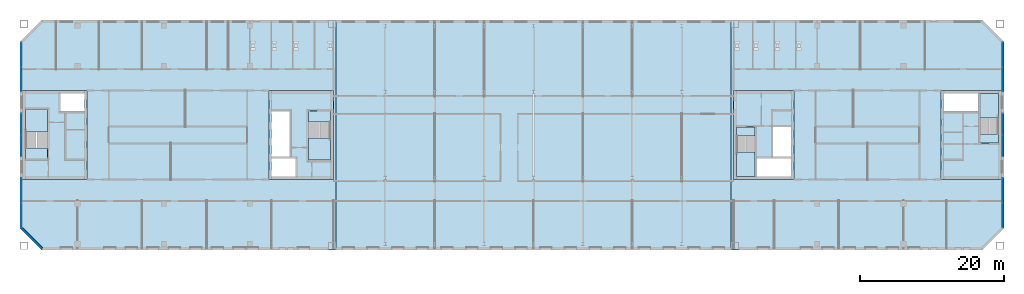
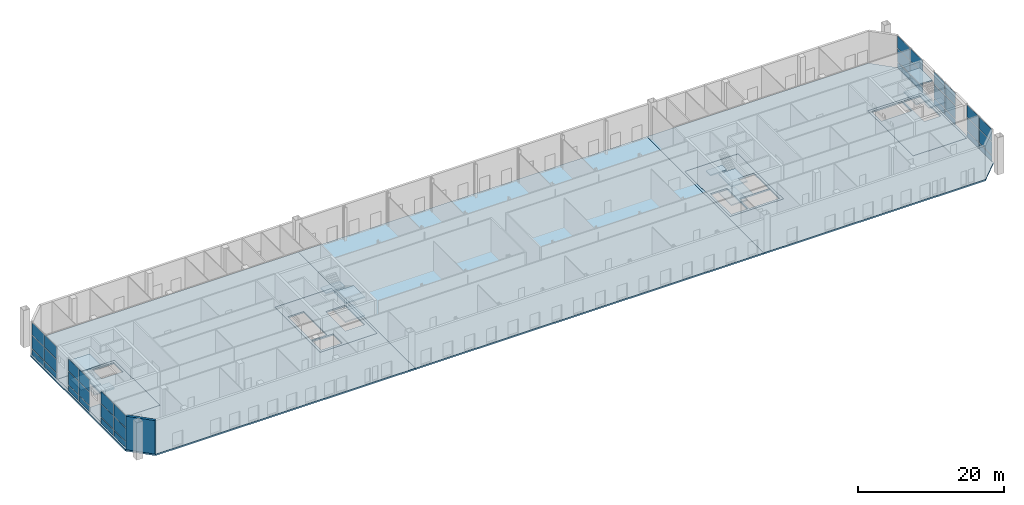
# One storey, part 7 of 20: 36 plates, 19 slabs, 1 wall, 10 elements without a shape of their own.
"""IFC4 building model written with IfcOpenShell, lengths in metres."""

from ifc_helpers import new_model, si_unit, direction, frame, frame_2d, origin, origin_2d, place, context, subcontext, project, spatial, polyline, rectangle, outline, extrude, material, layer, layer_set, type_object, element, aggregate, save


model = new_model("IFC4")

# Units and contexts
model_context = context("Model", 3, precision=1e-05, world=origin(), true_north=direction((0.0, 1.0)))
body_context = subcontext(model_context, "Body", "Model", "MODEL_VIEW")
ifc_project = project(units=[si_unit("LENGTHUNIT", "METRE"), si_unit("AREAUNIT", "SQUARE_METRE"), si_unit("VOLUMEUNIT", "CUBIC_METRE"), si_unit("PLANEANGLEUNIT", "RADIAN"), si_unit("MASSUNIT", "GRAM", prefix="KILO")], contexts=[model_context])

# Site, building, storey
site_placement = place(None, origin())
site = spatial("IfcSite", under=ifc_project, at=site_placement, CompositionType="ELEMENT")
building_placement = place(site_placement, origin())
building = spatial("IfcBuilding", under=site, at=building_placement, Name="Tuart Gate Housing", CompositionType="ELEMENT")
storey_placement = place(building_placement, frame((0.0, 0.0, 215.199951171875)))
storey = spatial("IfcBuildingStorey", under=building, at=storey_placement, Name="L61", CompositionType="ELEMENT", Elevation=215.199951171875)

# Slabs
ifc_material_1 = material(Name="Concrete C40", Category="concrete")
ifc_layer_1 = layer(ifc_material_1, 0.25)
ifc_layer_set_1 = layer_set([ifc_layer_1], Name="Core floor slab 250")
slab_type_1 = type_object("IfcSlabType", Name="Core floor slab 250", PredefinedType="FLOOR", material=ifc_layer_set_1)
slab_1_placement = place(storey_placement, frame((0.0, 0.0, -0.25)))
element("IfcSlab", 1, at=slab_1_placement, inside=storey, type_object=slab_type_1, Name="Core floor AG", PredefinedType="FLOOR", context=body_context, shape_type="SweptSolid", body=[
    extrude(outline(polyline([(66.639892578125, 63.800048828125), (75.639892578125, 63.800048828125), (75.639892578125, 76.199951171875), (66.639892578125, 76.199951171875), (66.639892578125, 63.800048828125)]), holes=[polyline([(67.0400390625, 64.199951171875), (70.385009765625, 64.199951171875), (70.385009765625, 66.72509765625), (67.0400390625, 66.72509765625), (67.0400390625, 64.199951171875)]), polyline([(67.0400390625, 66.97509765625), (69.56494140625, 66.97509765625), (69.56494140625, 73.324951171875), (67.0400390625, 73.324951171875), (67.0400390625, 66.97509765625)]), polyline([(72.1650390625, 66.47509765625), (75.239990234375, 66.47509765625), (75.239990234375, 71.804931640625), (72.1650390625, 71.804931640625), (72.1650390625, 66.47509765625)])]), origin(), (0.0, 0.0, 1.0), 0.25),
])
slab_2_placement = place(storey_placement, frame((0.0, 0.0, -0.25)))
element("IfcSlab", 2, at=slab_2_placement, inside=storey, type_object=slab_type_1, Name="Core floor AK", PredefinedType="FLOOR", context=body_context, shape_type="SweptSolid", body=[
    extrude(outline(polyline([(32.360107421875, 63.800048828125), (41.360107421875, 63.800048828125), (41.360107421875, 76.199951171875), (32.360107421875, 76.199951171875), (32.360107421875, 63.800048828125)]), holes=[polyline([(40.9599609375, 75.800048828125), (37.614990234375, 75.800048828125), (37.614990234375, 73.27490234375), (40.9599609375, 73.27490234375), (40.9599609375, 75.800048828125)]), polyline([(35.8349609375, 73.52490234375), (32.760009765625, 73.52490234375), (32.760009765625, 68.195068359375), (35.8349609375, 68.195068359375), (35.8349609375, 73.52490234375)])]), origin(), (0.0, 0.0, 1.0), 0.25),
])
slab_3_placement = place(storey_placement, frame((0.0, 0.0, -0.25)))
element("IfcSlab", 3, at=slab_3_placement, inside=storey, type_object=slab_type_1, Name="Core floor BG", PredefinedType="FLOOR", context=body_context, shape_type="SweptSolid", body=[
    extrude(outline(polyline([(131.360107421875, 63.800048828125), (139.760009765625, 63.800048828125), (139.760009765625, 76.199951171875), (131.360107421875, 76.199951171875), (131.360107421875, 63.800048828125)]), holes=[polyline([(139.360107421875, 66.85009765625), (134.5849609375, 66.85009765625), (134.5849609375, 64.199951171875), (139.360107421875, 64.199951171875), (139.360107421875, 66.85009765625)]), polyline([(139.360107421875, 71.125), (136.8349609375, 71.125), (136.8349609375, 66.97509765625), (139.360107421875, 66.97509765625), (139.360107421875, 71.125)]), polyline([(134.3349609375, 69.85498046875), (131.760009765625, 69.85498046875), (131.760009765625, 64.199951171875), (134.3349609375, 64.199951171875), (134.3349609375, 69.85498046875)])]), origin(), (0.0, 0.0, 1.0), 0.25),
])
slab_4_placement = place(storey_placement, frame((0.0, 0.0, -0.25)))
element("IfcSlab", 4, at=slab_4_placement, inside=storey, type_object=slab_type_1, Name="Core floor BK", PredefinedType="FLOOR", context=body_context, shape_type="SweptSolid", body=[
    extrude(outline(polyline([(160.239990234375, 63.800048828125), (168.639892578125, 63.800048828125), (168.639892578125, 76.199951171875), (160.239990234375, 76.199951171875), (160.239990234375, 63.800048828125)]), holes=[polyline([(160.639892578125, 73.14990234375), (165.4150390625, 73.14990234375), (165.4150390625, 75.800048828125), (160.639892578125, 75.800048828125), (160.639892578125, 73.14990234375)]), polyline([(165.6650390625, 70.14501953125), (168.239990234375, 70.14501953125), (168.239990234375, 75.800048828125), (165.6650390625, 75.800048828125), (165.6650390625, 70.14501953125)])]), origin(), (0.0, 0.0, 1.0), 0.25),
])
ifc_material_2 = material(Name="Concrete C40", Category="concrete")
ifc_layer_2 = layer(ifc_material_2, 0.25)
ifc_layer_set_2 = layer_set([ifc_layer_2], Name="Flat plate 250")
slab_type_2 = type_object("IfcSlabType", Name="Flat plate 250", PredefinedType="FLOOR", material=ifc_layer_set_2)
slab_5_placement = place(storey_placement, frame((0.0, 0.0, -0.25)))
element("IfcSlab", 5, at=slab_5_placement, inside=storey, type_object=slab_type_2, Name="Floor slab A L61", PredefinedType="FLOOR", context=body_context, shape_type="SweptSolid", body=[
    extrude(outline(polyline([(35.0, 86.0), (32.0, 83.0), (32.0, 57.0), (35.0, 54.0), (76.0, 54.0), (76.0, 86.0), (35.0, 86.0)]), holes=[polyline([(66.639892578125, 76.199951171875), (75.639892578125, 76.199951171875), (75.639892578125, 63.800048828125), (66.639892578125, 63.800048828125), (66.639892578125, 76.199951171875)]), polyline([(41.360107421875, 76.199951171875), (41.360107421875, 63.800048828125), (32.360107421875, 63.800048828125), (32.360107421875, 76.199951171875), (41.360107421875, 76.199951171875)])]), origin(), (0.0, 0.0, 1.0), 0.25),
])
slab_6_placement = place(storey_placement, frame((0.0, 0.0, -0.25)))
element("IfcSlab", 6, at=slab_6_placement, inside=storey, type_object=slab_type_2, Name="Floor slab B L61", PredefinedType="FLOOR", context=body_context, shape_type="SweptSolid", body=[
    extrude(outline(polyline([(166.0, 86.0), (131.0, 86.0), (131.0, 54.0), (166.0, 54.0), (169.0, 57.0), (169.0, 83.0), (166.0, 86.0)]), holes=[polyline([(131.360107421875, 76.199951171875), (139.760009765625, 76.199951171875), (139.760009765625, 63.800048828125), (131.360107421875, 63.800048828125), (131.360107421875, 76.199951171875)]), polyline([(168.639892578125, 76.199951171875), (168.639892578125, 63.800048828125), (160.239990234375, 63.800048828125), (160.239990234375, 76.199951171875), (168.639892578125, 76.199951171875)])]), origin(), (0.0, 0.0, 1.0), 0.25),
])
slab_7_placement = place(storey_placement, frame((0.0, 0.0, -0.25)))
element("IfcSlab", 7, at=slab_7_placement, inside=storey, type_object=slab_type_2, Name="Link floor slab L61", PredefinedType="FLOOR", context=body_context, shape_type="SweptSolid", body=[
    extrude(outline(polyline([(76.0, 54.0), (131.0, 54.0), (131.0, 86.0), (76.0, 86.0), (76.0, 54.0)])), origin(), (0.0, 0.0, 1.0), 0.25),
])

# Curtain wall, plates
ifc_material_3 = material(Name="Aluminium and clear glass", Category="aluminium")
curtain_wall_type = type_object("IfcCurtainWallType", Name="Sky garden front glazing", PredefinedType="USERDEFINED", material=ifc_material_3)
curtain_wall_1_placement = place(storey_placement, origin())
curtain_wall_1 = element("IfcCurtainWall", 8, at=curtain_wall_1_placement, inside=storey, type_object=curtain_wall_type, Name="Sky garden front glazing BLK-E L61", ObjectType="SKY GARDEN FRONT GLAZING", PredefinedType="USERDEFINED")
ifc_material_4 = material(Name="Clear glass", Category="glass")
ifc_layer_3 = layer(ifc_material_4, 0.028076171875)
ifc_layer_set_3 = layer_set([ifc_layer_3], Name="Glazed panel 28")
plate_type_1 = type_object("IfcPlateType", Name="Glazed panel 28", PredefinedType="CURTAIN_PANEL", material=ifc_layer_set_3)
plate_1_placement = place(storey_placement, frame((168.820068359375, 58.821044921875, 0.1201171875), z_axis=(0.0, 0.0, 1.0), x_axis=(0.0, 1.0, 0.0)))
plate_1 = element("IfcPlate", 9, at=plate_1_placement, type_object=plate_type_1, Name="CW4 panel 1.1", PredefinedType="CURTAIN_PANEL", context=body_context, shape_type="SweptSolid", body=[
    extrude(rectangle(XDim=3.372802734375, YDim=0.028076171875, at=origin_2d()), origin(), (0.0, 0.0, 1.0), 0.919921875),
])
plate_2_placement = place(storey_placement, frame((168.820068359375, 58.821044921875, 1.16015625), z_axis=(0.0, 0.0, 1.0), x_axis=(0.0, 1.0, 0.0)))
plate_2 = element("IfcPlate", 10, at=plate_2_placement, type_object=plate_type_1, Name="CW4 panel 1.2", PredefinedType="CURTAIN_PANEL", context=body_context, shape_type="SweptSolid", body=[
    extrude(rectangle(XDim=3.372802734375, YDim=0.028076171875, at=origin_2d()), origin(), (0.0, 0.0, 1.0), 2.179931640625),
])
plate_3_placement = place(storey_placement, frame((168.820068359375, 58.821044921875, 3.4599609375), z_axis=(0.0, 0.0, 1.0), x_axis=(0.0, 1.0, 0.0)))
plate_3 = element("IfcPlate", 11, at=plate_3_placement, type_object=plate_type_1, Name="CW4 panel 1.3", PredefinedType="CURTAIN_PANEL", context=body_context, shape_type="SweptSolid", body=[
    extrude(rectangle(XDim=3.372802734375, YDim=0.028076171875, at=origin_2d()), origin(), (0.0, 0.0, 1.0), 2.02001953125),
])
plate_4_placement = place(storey_placement, frame((168.820068359375, 62.253662109375, 0.1201171875), z_axis=(0.0, 0.0, 1.0), x_axis=(0.0, 1.0, 0.0)))
plate_4 = element("IfcPlate", 12, at=plate_4_placement, type_object=plate_type_1, Name="CW4 panel 2.1", PredefinedType="CURTAIN_PANEL", context=body_context, shape_type="SweptSolid", body=[
    extrude(rectangle(XDim=3.372802734375, YDim=0.028076171875, at=origin_2d()), origin(), (0.0, 0.0, 1.0), 0.919921875),
])
plate_5_placement = place(storey_placement, frame((168.820068359375, 62.253662109375, 1.16015625), z_axis=(0.0, 0.0, 1.0), x_axis=(0.0, 1.0, 0.0)))
plate_5 = element("IfcPlate", 13, at=plate_5_placement, type_object=plate_type_1, Name="CW4 panel 2.2", PredefinedType="CURTAIN_PANEL", context=body_context, shape_type="SweptSolid", body=[
    extrude(rectangle(XDim=3.372802734375, YDim=0.028076171875, at=origin_2d()), origin(), (0.0, 0.0, 1.0), 2.179931640625),
])
plate_6_placement = place(storey_placement, frame((168.820068359375, 62.253662109375, 3.4599609375), z_axis=(0.0, 0.0, 1.0), x_axis=(0.0, 1.0, 0.0)))
plate_6 = element("IfcPlate", 14, at=plate_6_placement, type_object=plate_type_1, Name="CW4 panel 2.3", PredefinedType="CURTAIN_PANEL", context=body_context, shape_type="SweptSolid", body=[
    extrude(rectangle(XDim=3.372802734375, YDim=0.028076171875, at=origin_2d()), origin(), (0.0, 0.0, 1.0), 2.02001953125),
])
aggregate(curtain_wall_1, [plate_1, plate_2, plate_3, plate_4, plate_5, plate_6])

curtain_wall_2_placement = place(storey_placement, origin())
curtain_wall_2 = element("IfcCurtainWall", 15, at=curtain_wall_2_placement, inside=storey, type_object=curtain_wall_type, Name="Sky garden front glazing BLK-E L61", ObjectType="SKY GARDEN FRONT GLAZING", PredefinedType="USERDEFINED")
plate_7_placement = place(storey_placement, frame((168.820068359375, 68.514892578125, 0.1201171875), z_axis=(0.0, 0.0, 1.0), x_axis=(0.0, 1.0, 0.0)))
plate_7 = element("IfcPlate", 16, at=plate_7_placement, type_object=plate_type_1, Name="CW4 panel 1.1", PredefinedType="CURTAIN_PANEL", context=body_context, shape_type="SweptSolid", body=[
    extrude(rectangle(XDim=2.909912109375, YDim=0.028076171875, at=origin_2d()), origin(), (0.0, 0.0, 1.0), 0.919921875),
])
plate_8_placement = place(storey_placement, frame((168.820068359375, 71.485107421875, 0.1201171875), z_axis=(0.0, 0.0, 1.0), x_axis=(0.0, 1.0, 0.0)))
plate_8 = element("IfcPlate", 17, at=plate_8_placement, type_object=plate_type_1, Name="CW4 panel 2.1", PredefinedType="CURTAIN_PANEL", context=body_context, shape_type="SweptSolid", body=[
    extrude(rectangle(XDim=2.909912109375, YDim=0.028076171875, at=origin_2d()), origin(), (0.0, 0.0, 1.0), 0.919921875),
])

curtain_wall_3_placement = place(storey_placement, origin())
curtain_wall_3 = element("IfcCurtainWall", 18, at=curtain_wall_3_placement, inside=storey, type_object=curtain_wall_type, Name="Sky garden front glazing BLK-E L61", ObjectType="SKY GARDEN FRONT GLAZING", PredefinedType="USERDEFINED")
plate_9_placement = place(storey_placement, frame((168.820068359375, 77.746337890625, 0.1201171875), z_axis=(0.0, 0.0, 1.0), x_axis=(0.0, 1.0, 0.0)))
plate_9 = element("IfcPlate", 19, at=plate_9_placement, type_object=plate_type_1, Name="CW4 panel 1.1", PredefinedType="CURTAIN_PANEL", context=body_context, shape_type="SweptSolid", body=[
    extrude(rectangle(XDim=3.372802734375, YDim=0.028076171875, at=origin_2d()), origin(), (0.0, 0.0, 1.0), 0.919921875),
])
plate_10_placement = place(storey_placement, frame((168.820068359375, 77.746337890625, 1.16015625), z_axis=(0.0, 0.0, 1.0), x_axis=(0.0, 1.0, 0.0)))
plate_10 = element("IfcPlate", 20, at=plate_10_placement, type_object=plate_type_1, Name="CW4 panel 1.2", PredefinedType="CURTAIN_PANEL", context=body_context, shape_type="SweptSolid", body=[
    extrude(rectangle(XDim=3.372802734375, YDim=0.028076171875, at=origin_2d()), origin(), (0.0, 0.0, 1.0), 2.179931640625),
])
plate_11_placement = place(storey_placement, frame((168.820068359375, 77.746337890625, 3.4599609375), z_axis=(0.0, 0.0, 1.0), x_axis=(0.0, 1.0, 0.0)))
plate_11 = element("IfcPlate", 21, at=plate_11_placement, type_object=plate_type_1, Name="CW4 panel 1.3", PredefinedType="CURTAIN_PANEL", context=body_context, shape_type="SweptSolid", body=[
    extrude(rectangle(XDim=3.372802734375, YDim=0.028076171875, at=origin_2d()), origin(), (0.0, 0.0, 1.0), 2.02001953125),
])
plate_12_placement = place(storey_placement, frame((168.820068359375, 81.17919921875, 0.1201171875), z_axis=(0.0, 0.0, 1.0), x_axis=(0.0, 1.0, 0.0)))
plate_12 = element("IfcPlate", 22, at=plate_12_placement, type_object=plate_type_1, Name="CW4 panel 2.1", PredefinedType="CURTAIN_PANEL", context=body_context, shape_type="SweptSolid", body=[
    extrude(rectangle(XDim=3.372802734375, YDim=0.028076171875, at=origin_2d()), origin(), (0.0, 0.0, 1.0), 0.919921875),
])
plate_13_placement = place(storey_placement, frame((168.820068359375, 81.17919921875, 1.16015625), z_axis=(0.0, 0.0, 1.0), x_axis=(0.0, 1.0, 0.0)))
plate_13 = element("IfcPlate", 23, at=plate_13_placement, type_object=plate_type_1, Name="CW4 panel 2.2", PredefinedType="CURTAIN_PANEL", context=body_context, shape_type="SweptSolid", body=[
    extrude(rectangle(XDim=3.372802734375, YDim=0.028076171875, at=origin_2d()), origin(), (0.0, 0.0, 1.0), 2.179931640625),
])
plate_14_placement = place(storey_placement, frame((168.820068359375, 81.17919921875, 3.4599609375), z_axis=(0.0, 0.0, 1.0), x_axis=(0.0, 1.0, 0.0)))
plate_14 = element("IfcPlate", 24, at=plate_14_placement, type_object=plate_type_1, Name="CW4 panel 2.3", PredefinedType="CURTAIN_PANEL", context=body_context, shape_type="SweptSolid", body=[
    extrude(rectangle(XDim=3.372802734375, YDim=0.028076171875, at=origin_2d()), origin(), (0.0, 0.0, 1.0), 2.02001953125),
])
aggregate(curtain_wall_3, [plate_9, plate_10, plate_11, plate_12, plate_13, plate_14])

curtain_wall_4_placement = place(storey_placement, origin())
curtain_wall_4 = element("IfcCurtainWall", 25, at=curtain_wall_4_placement, inside=storey, type_object=curtain_wall_type, Name="Sky garden front glazing BLK-W L61", ObjectType="SKY GARDEN FRONT GLAZING", PredefinedType="USERDEFINED")
plate_15_placement = place(storey_placement, frame((32.179931640625, 81.178955078125, 0.1201171875), z_axis=(0.0, 0.0, 1.0), x_axis=(0.0, -1.0, 0.0)))
plate_15 = element("IfcPlate", 26, at=plate_15_placement, type_object=plate_type_1, Name="CW4 panel 1.1", PredefinedType="CURTAIN_PANEL", context=body_context, shape_type="SweptSolid", body=[
    extrude(rectangle(XDim=3.372802734375, YDim=0.028076171875, at=origin_2d()), origin(), (0.0, 0.0, 1.0), 0.919921875),
])
plate_16_placement = place(storey_placement, frame((32.179931640625, 81.178955078125, 1.16015625), z_axis=(0.0, 0.0, 1.0), x_axis=(0.0, -1.0, 0.0)))
plate_16 = element("IfcPlate", 27, at=plate_16_placement, type_object=plate_type_1, Name="CW4 panel 1.2", PredefinedType="CURTAIN_PANEL", context=body_context, shape_type="SweptSolid", body=[
    extrude(rectangle(XDim=3.372802734375, YDim=0.028076171875, at=origin_2d()), origin(), (0.0, 0.0, 1.0), 2.179931640625),
])
plate_17_placement = place(storey_placement, frame((32.179931640625, 81.178955078125, 3.4599609375), z_axis=(0.0, 0.0, 1.0), x_axis=(0.0, -1.0, 0.0)))
plate_17 = element("IfcPlate", 28, at=plate_17_placement, type_object=plate_type_1, Name="CW4 panel 1.3", PredefinedType="CURTAIN_PANEL", context=body_context, shape_type="SweptSolid", body=[
    extrude(rectangle(XDim=3.372802734375, YDim=0.028076171875, at=origin_2d()), origin(), (0.0, 0.0, 1.0), 2.02001953125),
])
plate_18_placement = place(storey_placement, frame((32.179931640625, 77.746337890625, 0.1201171875), z_axis=(0.0, 0.0, 1.0), x_axis=(0.0, -1.0, 0.0)))
plate_18 = element("IfcPlate", 29, at=plate_18_placement, type_object=plate_type_1, Name="CW4 panel 2.1", PredefinedType="CURTAIN_PANEL", context=body_context, shape_type="SweptSolid", body=[
    extrude(rectangle(XDim=3.372802734375, YDim=0.028076171875, at=origin_2d()), origin(), (0.0, 0.0, 1.0), 0.919921875),
])
plate_19_placement = place(storey_placement, frame((32.179931640625, 77.746337890625, 1.16015625), z_axis=(0.0, 0.0, 1.0), x_axis=(0.0, -1.0, 0.0)))
plate_19 = element("IfcPlate", 30, at=plate_19_placement, type_object=plate_type_1, Name="CW4 panel 2.2", PredefinedType="CURTAIN_PANEL", context=body_context, shape_type="SweptSolid", body=[
    extrude(rectangle(XDim=3.372802734375, YDim=0.028076171875, at=origin_2d()), origin(), (0.0, 0.0, 1.0), 2.179931640625),
])
plate_20_placement = place(storey_placement, frame((32.179931640625, 77.746337890625, 3.4599609375), z_axis=(0.0, 0.0, 1.0), x_axis=(0.0, -1.0, 0.0)))
plate_20 = element("IfcPlate", 31, at=plate_20_placement, type_object=plate_type_1, Name="CW4 panel 2.3", PredefinedType="CURTAIN_PANEL", context=body_context, shape_type="SweptSolid", body=[
    extrude(rectangle(XDim=3.372802734375, YDim=0.028076171875, at=origin_2d()), origin(), (0.0, 0.0, 1.0), 2.02001953125),
])
aggregate(curtain_wall_4, [plate_15, plate_16, plate_17, plate_18, plate_19, plate_20])

curtain_wall_5_placement = place(storey_placement, origin())
curtain_wall_5 = element("IfcCurtainWall", 32, at=curtain_wall_5_placement, inside=storey, type_object=curtain_wall_type, Name="Sky garden front glazing BLK-W L61", ObjectType="SKY GARDEN FRONT GLAZING", PredefinedType="USERDEFINED")
plate_21_placement = place(storey_placement, frame((32.179931640625, 71.485107421875, 0.1201171875), z_axis=(0.0, 0.0, 1.0), x_axis=(0.0, -1.0, 0.0)))
plate_21 = element("IfcPlate", 33, at=plate_21_placement, type_object=plate_type_1, Name="CW4 panel 1.1", PredefinedType="CURTAIN_PANEL", context=body_context, shape_type="SweptSolid", body=[
    extrude(rectangle(XDim=2.909912109375, YDim=0.028076171875, at=origin_2d()), origin(), (0.0, 0.0, 1.0), 0.919921875),
])
plate_22_placement = place(storey_placement, frame((32.179931640625, 68.514892578125, 0.1201171875), z_axis=(0.0, 0.0, 1.0), x_axis=(0.0, -1.0, 0.0)))
plate_22 = element("IfcPlate", 34, at=plate_22_placement, type_object=plate_type_1, Name="CW4 panel 2.1", PredefinedType="CURTAIN_PANEL", context=body_context, shape_type="SweptSolid", body=[
    extrude(rectangle(XDim=2.909912109375, YDim=0.028076171875, at=origin_2d()), origin(), (0.0, 0.0, 1.0), 0.919921875),
])

curtain_wall_6_placement = place(storey_placement, origin())
curtain_wall_6 = element("IfcCurtainWall", 35, at=curtain_wall_6_placement, inside=storey, type_object=curtain_wall_type, Name="Sky garden front glazing BLK-W L61", ObjectType="SKY GARDEN FRONT GLAZING", PredefinedType="USERDEFINED")
plate_23_placement = place(storey_placement, frame((32.179931640625, 62.253662109375, 0.1201171875), z_axis=(0.0, 0.0, 1.0), x_axis=(0.0, -1.0, 0.0)))
plate_23 = element("IfcPlate", 36, at=plate_23_placement, type_object=plate_type_1, Name="CW4 panel 1.1", PredefinedType="CURTAIN_PANEL", context=body_context, shape_type="SweptSolid", body=[
    extrude(rectangle(XDim=3.372802734375, YDim=0.028076171875, at=origin_2d()), origin(), (0.0, 0.0, 1.0), 0.919921875),
])
plate_24_placement = place(storey_placement, frame((32.179931640625, 62.253662109375, 1.16015625), z_axis=(0.0, 0.0, 1.0), x_axis=(0.0, -1.0, 0.0)))
plate_24 = element("IfcPlate", 37, at=plate_24_placement, type_object=plate_type_1, Name="CW4 panel 1.2", PredefinedType="CURTAIN_PANEL", context=body_context, shape_type="SweptSolid", body=[
    extrude(rectangle(XDim=3.372802734375, YDim=0.028076171875, at=origin_2d()), origin(), (0.0, 0.0, 1.0), 2.179931640625),
])
plate_25_placement = place(storey_placement, frame((32.179931640625, 62.253662109375, 3.4599609375), z_axis=(0.0, 0.0, 1.0), x_axis=(0.0, -1.0, 0.0)))
plate_25 = element("IfcPlate", 38, at=plate_25_placement, type_object=plate_type_1, Name="CW4 panel 1.3", PredefinedType="CURTAIN_PANEL", context=body_context, shape_type="SweptSolid", body=[
    extrude(rectangle(XDim=3.372802734375, YDim=0.028076171875, at=origin_2d()), origin(), (0.0, 0.0, 1.0), 2.02001953125),
])
plate_26_placement = place(storey_placement, frame((32.179931640625, 58.82080078125, 0.1201171875), z_axis=(0.0, 0.0, 1.0), x_axis=(0.0, -1.0, 0.0)))
plate_26 = element("IfcPlate", 39, at=plate_26_placement, type_object=plate_type_1, Name="CW4 panel 2.1", PredefinedType="CURTAIN_PANEL", context=body_context, shape_type="SweptSolid", body=[
    extrude(rectangle(XDim=3.372802734375, YDim=0.028076171875, at=origin_2d()), origin(), (0.0, 0.0, 1.0), 0.919921875),
])
plate_27_placement = place(storey_placement, frame((32.179931640625, 58.82080078125, 1.16015625), z_axis=(0.0, 0.0, 1.0), x_axis=(0.0, -1.0, 0.0)))
plate_27 = element("IfcPlate", 40, at=plate_27_placement, type_object=plate_type_1, Name="CW4 panel 2.2", PredefinedType="CURTAIN_PANEL", context=body_context, shape_type="SweptSolid", body=[
    extrude(rectangle(XDim=3.372802734375, YDim=0.028076171875, at=origin_2d()), origin(), (0.0, 0.0, 1.0), 2.179931640625),
])
plate_28_placement = place(storey_placement, frame((32.179931640625, 58.82080078125, 3.4599609375), z_axis=(0.0, 0.0, 1.0), x_axis=(0.0, -1.0, 0.0)))
plate_28 = element("IfcPlate", 41, at=plate_28_placement, type_object=plate_type_1, Name="CW4 panel 2.3", PredefinedType="CURTAIN_PANEL", context=body_context, shape_type="SweptSolid", body=[
    extrude(rectangle(XDim=3.372802734375, YDim=0.028076171875, at=origin_2d()), origin(), (0.0, 0.0, 1.0), 2.02001953125),
])
aggregate(curtain_wall_6, [plate_23, plate_24, plate_25, plate_26, plate_27, plate_28])

# Plate
ifc_material_5 = material(Name="Insulated aluminium panel", Category="aluminium")
ifc_layer_4 = layer(ifc_material_5, 0.028076171875)
ifc_layer_set_4 = layer_set([ifc_layer_4], Name="Insulated opaque panel 28")
plate_type_2 = type_object("IfcPlateType", Name="Insulated opaque panel 28", PredefinedType="CURTAIN_PANEL", material=ifc_layer_set_4)
plate_29_placement = place(storey_placement, frame((168.820068359375, 68.514892578125, 1.16015625), z_axis=(0.0, 0.0, 1.0), x_axis=(0.0, 1.0, 0.0)))
plate_29 = element("IfcPlate", 42, at=plate_29_placement, type_object=plate_type_2, Name="CW4 opaque panel 1.2", PredefinedType="CURTAIN_PANEL", context=body_context, shape_type="SweptSolid", body=[
    extrude(rectangle(XDim=2.909912109375, YDim=0.028076171875, at=origin_2d()), origin(), (0.0, 0.0, 1.0), 2.179931640625),
])

plate_30_placement = place(storey_placement, frame((168.820068359375, 68.514892578125, 3.4599609375), z_axis=(0.0, 0.0, 1.0), x_axis=(0.0, 1.0, 0.0)))
plate_30 = element("IfcPlate", 43, at=plate_30_placement, type_object=plate_type_2, Name="CW4 opaque panel 1.3", PredefinedType="CURTAIN_PANEL", context=body_context, shape_type="SweptSolid", body=[
    extrude(rectangle(XDim=2.909912109375, YDim=0.028076171875, at=origin_2d()), origin(), (0.0, 0.0, 1.0), 2.02001953125),
])

plate_31_placement = place(storey_placement, frame((168.820068359375, 71.485107421875, 1.16015625), z_axis=(0.0, 0.0, 1.0), x_axis=(0.0, 1.0, 0.0)))
plate_31 = element("IfcPlate", 44, at=plate_31_placement, type_object=plate_type_2, Name="CW4 opaque panel 2.2", PredefinedType="CURTAIN_PANEL", context=body_context, shape_type="SweptSolid", body=[
    extrude(rectangle(XDim=2.909912109375, YDim=0.028076171875, at=origin_2d()), origin(), (0.0, 0.0, 1.0), 2.179931640625),
])

plate_32_placement = place(storey_placement, frame((168.820068359375, 71.485107421875, 3.4599609375), z_axis=(0.0, 0.0, 1.0), x_axis=(0.0, 1.0, 0.0)))
plate_32 = element("IfcPlate", 45, at=plate_32_placement, type_object=plate_type_2, Name="CW4 opaque panel 2.3", PredefinedType="CURTAIN_PANEL", context=body_context, shape_type="SweptSolid", body=[
    extrude(rectangle(XDim=2.909912109375, YDim=0.028076171875, at=origin_2d()), origin(), (0.0, 0.0, 1.0), 2.02001953125),
])

aggregate(curtain_wall_2, [plate_7, plate_29, plate_30, plate_8, plate_31, plate_32])

plate_33_placement = place(storey_placement, frame((32.179931640625, 71.485107421875, 1.16015625), z_axis=(0.0, 0.0, 1.0), x_axis=(0.0, -1.0, 0.0)))
plate_33 = element("IfcPlate", 46, at=plate_33_placement, type_object=plate_type_2, Name="CW4 opaque panel 1.2", PredefinedType="CURTAIN_PANEL", context=body_context, shape_type="SweptSolid", body=[
    extrude(rectangle(XDim=2.909912109375, YDim=0.028076171875, at=origin_2d()), origin(), (0.0, 0.0, 1.0), 2.179931640625),
])

plate_34_placement = place(storey_placement, frame((32.179931640625, 71.485107421875, 3.4599609375), z_axis=(0.0, 0.0, 1.0), x_axis=(0.0, -1.0, 0.0)))
plate_34 = element("IfcPlate", 47, at=plate_34_placement, type_object=plate_type_2, Name="CW4 opaque panel 1.3", PredefinedType="CURTAIN_PANEL", context=body_context, shape_type="SweptSolid", body=[
    extrude(rectangle(XDim=2.909912109375, YDim=0.028076171875, at=origin_2d()), origin(), (0.0, 0.0, 1.0), 2.02001953125),
])

plate_35_placement = place(storey_placement, frame((32.179931640625, 68.514892578125, 1.16015625), z_axis=(0.0, 0.0, 1.0), x_axis=(0.0, -1.0, 0.0)))
plate_35 = element("IfcPlate", 48, at=plate_35_placement, type_object=plate_type_2, Name="CW4 opaque panel 2.2", PredefinedType="CURTAIN_PANEL", context=body_context, shape_type="SweptSolid", body=[
    extrude(rectangle(XDim=2.909912109375, YDim=0.028076171875, at=origin_2d()), origin(), (0.0, 0.0, 1.0), 2.179931640625),
])

plate_36_placement = place(storey_placement, frame((32.179931640625, 68.514892578125, 3.4599609375), z_axis=(0.0, 0.0, 1.0), x_axis=(0.0, -1.0, 0.0)))
plate_36 = element("IfcPlate", 49, at=plate_36_placement, type_object=plate_type_2, Name="CW4 opaque panel 2.3", PredefinedType="CURTAIN_PANEL", context=body_context, shape_type="SweptSolid", body=[
    extrude(rectangle(XDim=2.909912109375, YDim=0.028076171875, at=origin_2d()), origin(), (0.0, 0.0, 1.0), 2.02001953125),
])

aggregate(curtain_wall_5, [plate_21, plate_33, plate_34, plate_22, plate_35, plate_36])

# Stair, slabs
ifc_material_6 = material(Name="Concrete C40", Category="concrete")
stair_type_1 = type_object("IfcStairType", Name="Core stair 1500", PredefinedType="HALF_TURN_STAIR", material=ifc_material_6)
stair_1_placement = place(storey_placement, origin())
stair_1 = element("IfcStair", 50, at=stair_1_placement, inside=storey, type_object=stair_type_1, Name="Stair SA1", PredefinedType="HALF_TURN_STAIR")
ifc_material_7 = material(Name="Concrete C40", Category="concrete")
ifc_layer_5 = layer(ifc_material_7, 0.199951171875)
ifc_layer_set_5 = layer_set([ifc_layer_5], Name="Stair landing 200")
slab_type_3 = type_object("IfcSlabType", Name="Stair landing 200", PredefinedType="LANDING", material=ifc_layer_set_5)
slab_8_placement = place(storey_placement, frame((0.0, 0.0, 1.35009765625)))
slab_8 = element("IfcSlab", 51, at=slab_8_placement, type_object=slab_type_3, Name="SA1 landing 1", PredefinedType="LANDING", context=body_context, shape_type="SweptSolid", body=[
    extrude(outline(polyline([(72.1650390625, 66.47509765625), (75.239990234375, 66.47509765625), (75.239990234375, 69.5849609375), (72.1650390625, 69.5849609375), (72.1650390625, 66.47509765625)])), origin(), (0.0, 0.0, 1.0), 0.199951171875),
])
slab_9_placement = place(storey_placement, frame((0.0, 0.0, 2.900146484375)))
slab_9 = element("IfcSlab", 52, at=slab_9_placement, type_object=slab_type_3, Name="SA1 landing 2", PredefinedType="LANDING", context=body_context, shape_type="SweptSolid", body=[
    extrude(outline(polyline([(72.1650390625, 73.324951171875), (72.1650390625, 71.824951171875), (75.239990234375, 71.824951171875), (75.239990234375, 73.324951171875), (72.1650390625, 73.324951171875)])), origin(), (0.0, 0.0, 1.0), 0.199951171875),
])
slab_10_placement = place(storey_placement, frame((0.0, 0.0, 4.449951171875)))
slab_10 = element("IfcSlab", 53, at=slab_10_placement, type_object=slab_type_3, Name="SA1 landing 3", PredefinedType="LANDING", context=body_context, shape_type="SweptSolid", body=[
    extrude(outline(polyline([(72.1650390625, 66.47509765625), (75.239990234375, 66.47509765625), (75.239990234375, 69.5849609375), (72.1650390625, 69.5849609375), (72.1650390625, 66.47509765625)])), origin(), (0.0, 0.0, 1.0), 0.2001953125),
])
aggregate(stair_1, [slab_8, slab_9, slab_10])

stair_2_placement = place(storey_placement, origin())
stair_2 = element("IfcStair", 54, at=stair_2_placement, inside=storey, type_object=stair_type_1, Name="Stair SA2", PredefinedType="HALF_TURN_STAIR")
slab_11_placement = place(storey_placement, frame((0.0, 0.0, 1.35009765625)))
slab_11 = element("IfcSlab", 55, at=slab_11_placement, type_object=slab_type_3, Name="SA2 landing 1", PredefinedType="LANDING", context=body_context, shape_type="SweptSolid", body=[
    extrude(outline(polyline([(35.8349609375, 73.52490234375), (32.760009765625, 73.52490234375), (32.760009765625, 70.4150390625), (35.8349609375, 70.4150390625), (35.8349609375, 73.52490234375)])), origin(), (0.0, 0.0, 1.0), 0.199951171875),
])
slab_12_placement = place(storey_placement, frame((0.0, 0.0, 2.900146484375)))
slab_12 = element("IfcSlab", 56, at=slab_12_placement, type_object=slab_type_3, Name="SA2 landing 2", PredefinedType="LANDING", context=body_context, shape_type="SweptSolid", body=[
    extrude(outline(polyline([(35.8349609375, 66.675048828125), (35.8349609375, 68.175048828125), (32.760009765625, 68.175048828125), (32.760009765625, 66.675048828125), (35.8349609375, 66.675048828125)])), origin(), (0.0, 0.0, 1.0), 0.199951171875),
])
slab_13_placement = place(storey_placement, frame((0.0, 0.0, 4.449951171875)))
slab_13 = element("IfcSlab", 57, at=slab_13_placement, type_object=slab_type_3, Name="SA2 landing 3", PredefinedType="LANDING", context=body_context, shape_type="SweptSolid", body=[
    extrude(outline(polyline([(35.8349609375, 73.52490234375), (32.760009765625, 73.52490234375), (32.760009765625, 70.4150390625), (35.8349609375, 70.4150390625), (35.8349609375, 73.52490234375)])), origin(), (0.0, 0.0, 1.0), 0.2001953125),
])
aggregate(stair_2, [slab_11, slab_12, slab_13])

ifc_material_8 = material(Name="Concrete C40", Category="concrete")
stair_type_2 = type_object("IfcStairType", Name="Core stair 1250", PredefinedType="HALF_TURN_STAIR", material=ifc_material_8)
stair_3_placement = place(storey_placement, origin())
stair_3 = element("IfcStair", 58, at=stair_3_placement, inside=storey, type_object=stair_type_2, Name="Stair SB1", PredefinedType="HALF_TURN_STAIR")
slab_14_placement = place(storey_placement, frame((0.0, 0.0, 1.35009765625)))
slab_14 = element("IfcSlab", 59, at=slab_14_placement, type_object=slab_type_3, Name="SB1 landing 1", PredefinedType="LANDING", context=body_context, shape_type="SweptSolid", body=[
    extrude(outline(polyline([(134.3349609375, 67.635009765625), (131.760009765625, 67.635009765625), (131.760009765625, 64.199951171875), (134.3349609375, 64.199951171875), (134.3349609375, 67.635009765625)])), origin(), (0.0, 0.0, 1.0), 0.199951171875),
])
slab_15_placement = place(storey_placement, frame((0.0, 0.0, 2.900146484375)))
slab_15 = element("IfcSlab", 60, at=slab_15_placement, type_object=slab_type_3, Name="SB1 landing 2", PredefinedType="LANDING", context=body_context, shape_type="SweptSolid", body=[
    extrude(outline(polyline([(131.760009765625, 71.125), (131.760009765625, 69.875), (134.3349609375, 69.875), (134.3349609375, 71.125), (131.760009765625, 71.125)])), origin(), (0.0, 0.0, 1.0), 0.199951171875),
])
slab_16_placement = place(storey_placement, frame((0.0, 0.0, 4.449951171875)))
slab_16 = element("IfcSlab", 61, at=slab_16_placement, type_object=slab_type_3, Name="SB1 landing 3", PredefinedType="LANDING", context=body_context, shape_type="SweptSolid", body=[
    extrude(outline(polyline([(134.3349609375, 67.635009765625), (131.760009765625, 67.635009765625), (131.760009765625, 64.199951171875), (134.3349609375, 64.199951171875), (134.3349609375, 67.635009765625)])), origin(), (0.0, 0.0, 1.0), 0.2001953125),
])
aggregate(stair_3, [slab_14, slab_15, slab_16])

stair_4_placement = place(storey_placement, origin())
stair_4 = element("IfcStair", 62, at=stair_4_placement, inside=storey, type_object=stair_type_2, Name="Stair SB2", PredefinedType="HALF_TURN_STAIR")
slab_17_placement = place(storey_placement, frame((0.0, 0.0, 1.35009765625)))
slab_17 = element("IfcSlab", 63, at=slab_17_placement, type_object=slab_type_3, Name="SB2 landing 1", PredefinedType="LANDING", context=body_context, shape_type="SweptSolid", body=[
    extrude(outline(polyline([(165.6650390625, 72.364990234375), (168.239990234375, 72.364990234375), (168.239990234375, 75.800048828125), (165.6650390625, 75.800048828125), (165.6650390625, 72.364990234375)])), origin(), (0.0, 0.0, 1.0), 0.199951171875),
])
slab_18_placement = place(storey_placement, frame((0.0, 0.0, 2.900146484375)))
slab_18 = element("IfcSlab", 64, at=slab_18_placement, type_object=slab_type_3, Name="SB2 landing 2", PredefinedType="LANDING", context=body_context, shape_type="SweptSolid", body=[
    extrude(outline(polyline([(168.239990234375, 68.875), (168.239990234375, 70.125), (165.6650390625, 70.125), (165.6650390625, 68.875), (168.239990234375, 68.875)])), origin(), (0.0, 0.0, 1.0), 0.199951171875),
])
slab_19_placement = place(storey_placement, frame((0.0, 0.0, 4.449951171875)))
slab_19 = element("IfcSlab", 65, at=slab_19_placement, type_object=slab_type_3, Name="SB2 landing 3", PredefinedType="LANDING", context=body_context, shape_type="SweptSolid", body=[
    extrude(outline(polyline([(165.6650390625, 72.364990234375), (168.239990234375, 72.364990234375), (168.239990234375, 75.800048828125), (165.6650390625, 75.800048828125), (165.6650390625, 72.364990234375)])), origin(), (0.0, 0.0, 1.0), 0.2001953125),
])
aggregate(stair_4, [slab_17, slab_18, slab_19])

# Wall
ifc_material_9 = material(Name="Brick", Category="masonry")
ifc_layer_6 = layer(ifc_material_9, 0.360107421875)
ifc_layer_set_6 = layer_set([ifc_layer_6], Name="Brick pier and spandrel wall 360")
wall_type = type_object("IfcWallType", Name="Brick pier and spandrel wall 360", PredefinedType="STANDARD", material=ifc_layer_set_6)
wall_placement = place(storey_placement, frame((32.179931640625, 57.07470703125, 0.0), z_axis=(0.0, 0.0, 1.0), x_axis=(0.707106781187, -0.707106781187, 0.0)))
element("IfcWall", 66, at=wall_placement, inside=storey, type_object=wall_type, Name="External wall BLK-SW L61", PredefinedType="STANDARD", context=body_context, shape_type="SweptSolid", body=[
    extrude(rectangle(XDim=4.09375, YDim=0.360107421875, at=frame_2d((2.046875, 0.0))), origin(), (0.0, 0.0, 1.0), 5.60009765625),
])

save(model, "model.ifc")
